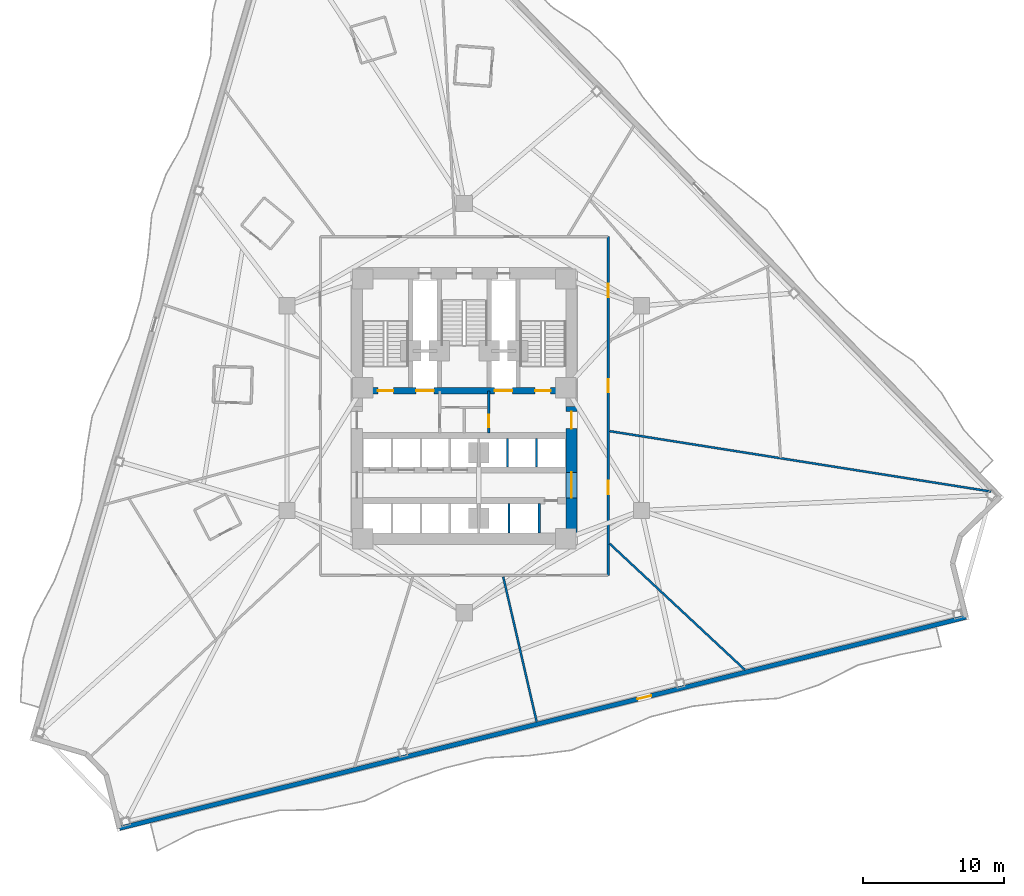
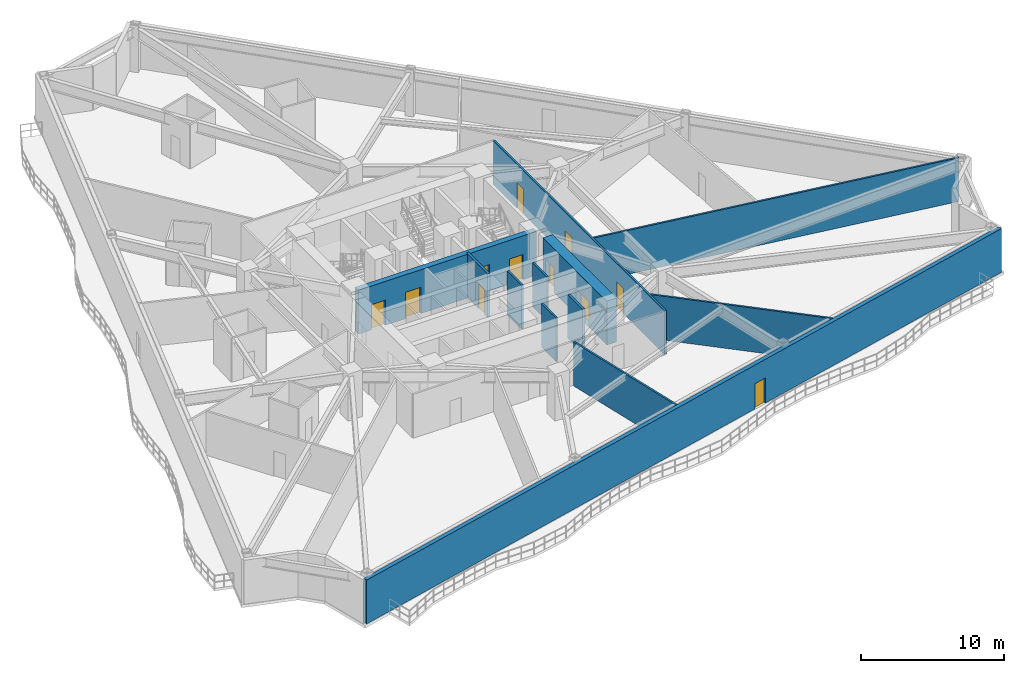
# One storey, part 4 of 10: 12 walls, 11 doors, 11 openings.
"""IFC4 building model written with IfcOpenShell, lengths in metres."""

from ifc_helpers import new_model, si_unit, direction, frame, frame_2d, origin, place, context, subcontext, project, spatial, rectangle, extrude, material, layer, layer_set, type_object, element, fill, save


model = new_model("IFC4")

# Units and contexts
model_context = context("Model", 3, precision=1e-05, world=origin(), true_north=direction((0.0, 1.0)))
body_context = subcontext(model_context, "Body", "Model", "MODEL_VIEW")
ifc_project = project(units=[si_unit("LENGTHUNIT", "METRE"), si_unit("AREAUNIT", "SQUARE_METRE"), si_unit("VOLUMEUNIT", "CUBIC_METRE"), si_unit("PLANEANGLEUNIT", "RADIAN"), si_unit("MASSUNIT", "GRAM", prefix="KILO")], contexts=[model_context])

# Site, building, storey
site_placement = place(None, origin())
site = spatial("IfcSite", under=ifc_project, at=site_placement, CompositionType="ELEMENT")
building_placement = place(site_placement, origin())
building = spatial("IfcBuilding", under=site, at=building_placement, Name="Apsidion Concourse Tower", CompositionType="ELEMENT")
storey_placement = place(building_placement, frame((0.0, 0.0, 107.0)))
storey = spatial("IfcBuildingStorey", under=building, at=storey_placement, Name="L24", CompositionType="ELEMENT", Elevation=107.0)

# Wall, opening, door
ifc_material_1 = material(Name="Precast concrete C40/50", Category="concrete")
ifc_layer_1 = layer(ifc_material_1, 0.320068359375)
ifc_layer_set_1 = layer_set([ifc_layer_1], Name="Precast concrete C40/50")
wall_type_1 = type_object("IfcWallType", Name="WL-EXT-320", PredefinedType="STANDARD", material=ifc_layer_set_1)
wall_1_placement = place(storey_placement, frame((35.546142578125, -14.818359375, 0.0), z_axis=(0.0, 0.0, 1.0), x_axis=(-0.970295883146, -0.241921266428, 0.0)))
wall_1 = element("IfcWall", 1, at=wall_1_placement, inside=storey, type_object=wall_type_1, Name="L24 Precast Stone Facade Wall 05", PredefinedType="STANDARD", context=body_context, shape_type="SweptSolid", body=[
    extrude(rectangle(XDim=61.810791015625, YDim=0.320068359375, at=frame_2d((30.9052734375, 0.0))), origin(), (0.0, 0.0, 1.0), 3.75),
])
opening_1_placement = place(wall_1_placement, frame((22.988037109375, 0.0, 0.0)))
opening_1 = element("IfcOpeningElement", 2, at=opening_1_placement, cuts=wall_1, Name="Opening D-T1R", PredefinedType="OPENING", context=body_context, shape_type="SweptSolid", body=[
    extrude(rectangle(XDim=1.0, YDim=2.14990234375, at=frame_2d((0.5, 1.074951171875))), frame((0.0, 0.169921875, 0.0), z_axis=(0.0, -1.0, 0.0), x_axis=(1.0, 0.0, 0.0)), (0.0, 0.0, 1.0), 0.340087890625),
])
ifc_material_2 = material(Name="Anodised aluminium EN AW-6063 T6", Category="aluminium")
door_type_1 = type_object("IfcDoorType", Name="DR-TER-1022R", OperationType="SINGLE_SWING_RIGHT", PredefinedType="DOOR", material=ifc_material_2)
door_1_placement = place(opening_1_placement, origin())
door_1 = element("IfcDoor", 3, at=door_1_placement, inside=storey, type_object=door_type_1, Name="L24 Balcony Access Door 2", OperationType="SINGLE_SWING_RIGHT", OverallHeight=2.14990234375, OverallWidth=1.0, PredefinedType="DOOR", context=body_context, shape_type="SweptSolid", body=[
    extrude(rectangle(XDim=1.0, YDim=2.14990234375, at=frame_2d((0.5, 1.074951171875))), frame((0.0, 0.02490234375, 0.0), z_axis=(0.0, -1.0, 0.0), x_axis=(1.0, 0.0, 0.0)), (0.0, 0.0, 1.0), 0.050048828125),
])
fill(opening_1, door_1)

# Walls
ifc_material_3 = material(Name="Gypsum plasterboard partition")
ifc_layer_2 = layer(ifc_material_3, 0.14990234375)
ifc_layer_set_2 = layer_set([ifc_layer_2], Name="Gypsum plasterboard partition")
wall_type_2 = type_object("IfcWallType", Name="WL-INT-PAR-150", PredefinedType="PARTITIONING", material=ifc_layer_set_2)
for number, where, z_axis, x_axis, name in (
    (4, (3.074951171875, -4.179931640625, 0.0), (0.0, 0.0, 1.0), (0.0, 1.0, 0.0), "L24 Interior Partition WL-L24-B3DIV-1"),
    (5, (5.125, -4.179931640625, 0.0), (0.0, 0.0, 1.0), (0.0, 1.0, 0.0), "L24 Interior Partition WL-L24-B3DIV-2"),
):
    element("IfcWall", number, at=place(storey_placement, frame(where, z_axis=z_axis, x_axis=x_axis)), inside=storey, type_object=wall_type_2, Name=name, PredefinedType="PARTITIONING", context=body_context, shape_type="SweptSolid", body=[
        extrude(rectangle(XDim=2.030029296875, YDim=0.14990234375, at=frame_2d((1.01513671875, 0.0))), origin(), (0.0, 0.0, 1.0), 3.75),
    ])
wall_2_placement = place(storey_placement, frame((3.175048828125, -8.85009765625, 0.0), z_axis=(0.0, 0.0, 1.0), x_axis=(0.0, 1.0, 0.0)))
element("IfcWall", 6, at=wall_2_placement, inside=storey, type_object=wall_type_2, Name="L24 Interior Partition WL-L24-SHDIV-1", PredefinedType="PARTITIONING", context=body_context, shape_type="SweptSolid", body=[
    extrude(rectangle(XDim=2.080078125, YDim=0.14990234375, at=frame_2d((1.0400390625, 0.0))), origin(), (0.0, 0.0, 1.0), 3.75),
])

# Wall, openings, doors
wall_3_placement = place(storey_placement, frame((10.199951171875, 12.14990234375, 0.0), z_axis=(0.0, 0.0, 1.0), x_axis=(0.0, -1.0, 0.0)))
wall_3 = element("IfcWall", 7, at=wall_3_placement, inside=storey, type_object=wall_type_2, Name="L24 Interior Partition WL-L24-CORR-02", PredefinedType="PARTITIONING", context=body_context, shape_type="SweptSolid", body=[
    extrude(rectangle(XDim=24.0, YDim=0.14990234375, at=frame_2d((12.0, 0.0))), origin(), (0.0, 0.0, 1.0), 3.75),
])
opening_2_placement = place(wall_3_placement, frame((17.29931640625, 0.0, 0.0)))
opening_2 = element("IfcOpeningElement", 8, at=opening_2_placement, cuts=wall_3, Name="Opening D-01L", PredefinedType="OPENING", context=body_context, shape_type="SweptSolid", body=[
    extrude(rectangle(XDim=0.949951171875, YDim=2.14990234375, at=frame_2d((0.47509765625, 1.074951171875))), frame((0.0, 0.0849609375, 0.0), z_axis=(0.0, -1.0, 0.0), x_axis=(1.0, 0.0, 0.0)), (0.0, 0.0, 1.0), 0.169921875),
])
opening_3_placement = place(wall_3_placement, frame((10.09228515625, 0.0, 0.0)))
opening_3 = element("IfcOpeningElement", 9, at=opening_3_placement, cuts=wall_3, Name="Opening D-01R", PredefinedType="OPENING", context=body_context, shape_type="SweptSolid", body=[
    extrude(rectangle(XDim=0.949951171875, YDim=2.14990234375, at=frame_2d((0.47509765625, 1.074951171875))), frame((0.0, 0.0849609375, 0.0), z_axis=(0.0, -1.0, 0.0), x_axis=(1.0, 0.0, 0.0)), (0.0, 0.0, 1.0), 0.169921875),
])
opening_4_placement = place(wall_3_placement, frame((3.32666015625, 0.0, 0.0)))
opening_4 = element("IfcOpeningElement", 10, at=opening_4_placement, cuts=wall_3, Name="Opening D-01L", PredefinedType="OPENING", context=body_context, shape_type="SweptSolid", body=[
    extrude(rectangle(XDim=0.949951171875, YDim=2.14990234375, at=frame_2d((0.47509765625, 1.074951171875))), frame((0.0, 0.0849609375, 0.0), z_axis=(0.0, -1.0, 0.0), x_axis=(1.0, 0.0, 0.0)), (0.0, 0.0, 1.0), 0.169921875),
])
ifc_material_4 = material(Name="Brushed stainless steel 316", Category="steel")
door_type_2 = type_object("IfcDoorType", Name="DR-INT-D01L", OperationType="SINGLE_SWING_LEFT", PredefinedType="DOOR", material=ifc_material_4)
door_2_placement = place(opening_2_placement, origin())
door_2 = element("IfcDoor", 11, at=door_2_placement, inside=storey, type_object=door_type_2, Name="L24 Corridor Entry Door 05", OperationType="SINGLE_SWING_LEFT", OverallHeight=2.14990234375, OverallWidth=0.949951171875, PredefinedType="DOOR", context=body_context, shape_type="SweptSolid", body=[
    extrude(rectangle(XDim=0.949951171875, YDim=2.14990234375, at=frame_2d((0.47509765625, 1.074951171875))), frame((0.0, 0.02490234375, 0.0), z_axis=(0.0, -1.0, 0.0), x_axis=(1.0, 0.0, 0.0)), (0.0, 0.0, 1.0), 0.050048828125),
])
fill(opening_2, door_2)
door_3_placement = place(opening_4_placement, origin())
door_3 = element("IfcDoor", 12, at=door_3_placement, inside=storey, type_object=door_type_2, Name="L24 Corridor Entry Door 07", OperationType="SINGLE_SWING_LEFT", OverallHeight=2.14990234375, OverallWidth=0.949951171875, PredefinedType="DOOR", context=body_context, shape_type="SweptSolid", body=[
    extrude(rectangle(XDim=0.949951171875, YDim=2.14990234375, at=frame_2d((0.47509765625, 1.074951171875))), frame((0.0, 0.02490234375, 0.0), z_axis=(0.0, -1.0, 0.0), x_axis=(1.0, 0.0, 0.0)), (0.0, 0.0, 1.0), 0.050048828125),
])
fill(opening_4, door_3)
door_type_3 = type_object("IfcDoorType", Name="DR-INT-D01R", OperationType="SINGLE_SWING_RIGHT", PredefinedType="DOOR", material=ifc_material_4)
door_4_placement = place(opening_3_placement, origin())
door_4 = element("IfcDoor", 13, at=door_4_placement, inside=storey, type_object=door_type_3, Name="L24 Corridor Entry Door 06", OperationType="SINGLE_SWING_RIGHT", OverallHeight=2.14990234375, OverallWidth=0.949951171875, PredefinedType="DOOR", context=body_context, shape_type="SweptSolid", body=[
    extrude(rectangle(XDim=0.949951171875, YDim=2.14990234375, at=frame_2d((0.47509765625, 1.074951171875))), frame((0.0, 0.02490234375, 0.0), z_axis=(0.0, -1.0, 0.0), x_axis=(1.0, 0.0, 0.0)), (0.0, 0.0, 1.0), 0.050048828125),
])
fill(opening_3, door_4)

# Walls
wall_4_placement = place(storey_placement, frame((2.760009765625, -11.955078125, 0.0), z_axis=(0.0, 0.0, 1.0), x_axis=(0.224945811952, -0.974371275072, 0.0)))
element("IfcWall", 14, at=wall_4_placement, inside=storey, type_object=wall_type_2, Name="L24 Interior Partition WL-L24-RAD-09-1", PredefinedType="PARTITIONING", context=body_context, shape_type="SweptSolid", body=[
    extrude(rectangle(XDim=10.536376953125, YDim=0.14990234375, at=frame_2d((5.26806640625, 0.0))), origin(), (0.0, 0.0, 1.0), 3.75),
])
wall_5_placement = place(storey_placement, frame((10.304931640625, -9.609619140625, 0.0), z_axis=(0.0, 0.0, 1.0), x_axis=(0.731362621349, -0.681988794698, 0.0)))
element("IfcWall", 15, at=wall_5_placement, inside=storey, type_object=wall_type_2, Name="L24 Interior Partition WL-L24-RAD-10-1", PredefinedType="PARTITIONING", context=body_context, shape_type="SweptSolid", body=[
    extrude(rectangle(XDim=13.0986328125, YDim=0.14990234375, at=frame_2d((6.54931640625, 0.0))), origin(), (0.0, 0.0, 1.0), 3.75),
])
wall_6_placement = place(storey_placement, frame((10.304931640625, -1.632080078125, 0.0), z_axis=(0.0, 0.0, 1.0), x_axis=(0.987688570565, -0.156433013064, 0.0)))
element("IfcWall", 16, at=wall_6_placement, inside=storey, type_object=wall_type_2, Name="L24 Interior Partition WL-L24-RAD-11-1", PredefinedType="PARTITIONING", context=body_context, shape_type="SweptSolid", body=[
    extrude(rectangle(XDim=27.367919921875, YDim=0.14990234375, at=frame_2d((13.68408203125, 0.0))), origin(), (0.0, 0.0, 1.0), 3.75),
])
ifc_layer_3 = layer(ifc_material_3, 0.179931640625)
ifc_layer_set_3 = layer_set([ifc_layer_3], Name="Gypsum plasterboard partition")
wall_type_3 = type_object("IfcWallType", Name="WL-INT-PAR-180", PredefinedType="PARTITIONING", material=ifc_layer_set_3)
wall_7_placement = place(storey_placement, frame((5.324951171875, -8.85009765625, 0.0), z_axis=(0.0, 0.0, 1.0), x_axis=(0.0, 1.0, 0.0)))
element("IfcWall", 17, at=wall_7_placement, inside=storey, type_object=wall_type_3, Name="L24 Interior Partition WL-L24-SHDIV-2", PredefinedType="PARTITIONING", context=body_context, shape_type="SweptSolid", body=[
    extrude(rectangle(XDim=2.080078125, YDim=0.179931640625, at=frame_2d((1.0400390625, 0.0))), origin(), (0.0, 0.0, 1.0), 3.75),
])

# Wall, opening, door
ifc_layer_4 = layer(ifc_material_3, 0.199951171875)
ifc_layer_set_4 = layer_set([ifc_layer_4], Name="Gypsum plasterboard partition")
wall_type_4 = type_object("IfcWallType", Name="WL-INT-PAR-200", PredefinedType="PARTITIONING", material=ifc_layer_set_4)
wall_8_placement = place(storey_placement, frame((1.739990234375, -1.780029296875, 0.0), z_axis=(0.0, 0.0, 1.0), x_axis=(0.0, 1.0, 0.0)))
wall_8 = element("IfcWall", 18, at=wall_8_placement, inside=storey, type_object=wall_type_4, Name="L24 Interior Partition WL-L24-FF2-W", PredefinedType="PARTITIONING", context=body_context, shape_type="SweptSolid", body=[
    extrude(rectangle(XDim=2.97998046875, YDim=0.199951171875, at=frame_2d((1.489990234375, 0.0))), origin(), (0.0, 0.0, 1.0), 3.75),
])
opening_5_placement = place(wall_8_placement, frame((0.419921875, 0.0, 0.0)))
opening_5 = element("IfcOpeningElement", 19, at=opening_5_placement, cuts=wall_8, Name="Opening D-05L", PredefinedType="OPENING", context=body_context, shape_type="SweptSolid", body=[
    extrude(rectangle(XDim=0.8798828125, YDim=2.14990234375, at=frame_2d((0.43994140625, 1.074951171875))), frame((0.0, 0.10986328125, 0.0), z_axis=(0.0, -1.0, 0.0), x_axis=(1.0, 0.0, 0.0)), (0.0, 0.0, 1.0), 0.219970703125),
])
door_type_4 = type_object("IfcDoorType", Name="DR-INT-D05L", OperationType="SINGLE_SWING_LEFT", PredefinedType="DOOR", material=ifc_material_4)
door_5_placement = place(opening_5_placement, origin())
door_5 = element("IfcDoor", 20, at=door_5_placement, inside=storey, type_object=door_type_4, Name="L24 Core First Aid Door", OperationType="SINGLE_SWING_LEFT", OverallHeight=2.14990234375, OverallWidth=0.8798828125, PredefinedType="DOOR", context=body_context, shape_type="SweptSolid", body=[
    extrude(rectangle(XDim=0.8798828125, YDim=2.14990234375, at=frame_2d((0.43994140625, 1.074951171875))), frame((0.0, 0.02490234375, 0.0), z_axis=(0.0, -1.0, 0.0), x_axis=(1.0, 0.0, 0.0)), (0.0, 0.0, 1.0), 0.050048828125),
])
fill(opening_5, door_5)

# Wall, openings, doors
ifc_material_5 = material(Name="Concrete C60/75", Category="concrete")
ifc_layer_5 = layer(ifc_material_5, 0.449951171875)
ifc_layer_set_5 = layer_set([ifc_layer_5], Name="Concrete C60/75")
wall_type_5 = type_object("IfcWallType", Name="WL-SH-450", PredefinedType="SHEAR", material=ifc_layer_set_5)
wall_9_placement = place(storey_placement, frame((-7.199951171875, 1.22509765625, 0.0), z_axis=(0.0, 0.0, 1.0), x_axis=(1.0, 0.0, 0.0)))
wall_9 = element("IfcWall", 21, at=wall_9_placement, inside=storey, type_object=wall_type_5, Name="L24 Central Core Shear Wall M1", PredefinedType="SHEAR", context=body_context, shape_type="SweptSolid", body=[
    extrude(rectangle(XDim=14.39990234375, YDim=0.449951171875, at=frame_2d((7.199951171875, 0.0))), origin(), (0.0, 0.0, 1.0), 3.75),
])
opening_6_placement = place(wall_9_placement, frame((3.794921875, 0.0, 0.0)))
opening_6 = element("IfcOpeningElement", 22, at=opening_6_placement, cuts=wall_9, Name="Opening LD-FF", PredefinedType="OPENING", context=body_context, shape_type="SweptSolid", body=[
    extrude(rectangle(XDim=1.25, YDim=2.25, at=frame_2d((0.625, 1.125))), frame((0.0, 0.23486328125, 0.0), z_axis=(0.0, -1.0, 0.0), x_axis=(1.0, 0.0, 0.0)), (0.0, 0.0, 1.0), 0.469970703125),
])
opening_7_placement = place(wall_9_placement, frame((9.35498046875, 0.0, 0.0)))
opening_7 = element("IfcOpeningElement", 23, at=opening_7_placement, cuts=wall_9, Name="Opening LD-FF", PredefinedType="OPENING", context=body_context, shape_type="SweptSolid", body=[
    extrude(rectangle(XDim=1.25, YDim=2.25, at=frame_2d((0.625, 1.125))), frame((0.0, 0.23486328125, 0.0), z_axis=(0.0, -1.0, 0.0), x_axis=(1.0, 0.0, 0.0)), (0.0, 0.0, 1.0), 0.469970703125),
])
opening_8_placement = place(wall_9_placement, frame((1.074951171875, 0.0, 0.0)))
opening_8 = element("IfcOpeningElement", 24, at=opening_8_placement, cuts=wall_9, Name="Opening D-STL", PredefinedType="OPENING", context=body_context, shape_type="SweptSolid", body=[
    extrude(rectangle(XDim=1.10009765625, YDim=2.14990234375, at=frame_2d((0.550048828125, 1.074951171875))), frame((0.0, 0.23486328125, 0.0), z_axis=(0.0, -1.0, 0.0), x_axis=(1.0, 0.0, 0.0)), (0.0, 0.0, 1.0), 0.469970703125),
])
opening_9_placement = place(wall_9_placement, frame((12.22509765625, 0.0, 0.0)))
opening_9 = element("IfcOpeningElement", 25, at=opening_9_placement, cuts=wall_9, Name="Opening D-STR", PredefinedType="OPENING", context=body_context, shape_type="SweptSolid", body=[
    extrude(rectangle(XDim=1.10009765625, YDim=2.14990234375, at=frame_2d((0.550048828125, 1.074951171875))), frame((0.0, 0.23486328125, 0.0), z_axis=(0.0, -1.0, 0.0), x_axis=(1.0, 0.0, 0.0)), (0.0, 0.0, 1.0), 0.469970703125),
])
door_type_5 = type_object("IfcDoorType", Name="DR-INT-ST1L", OperationType="SINGLE_SWING_LEFT", PredefinedType="DOOR", material=ifc_material_4)
door_6_placement = place(opening_8_placement, origin())
door_6 = element("IfcDoor", 26, at=door_6_placement, inside=storey, type_object=door_type_5, Name="L24 Core Exit Stair ST1 Door", OperationType="SINGLE_SWING_LEFT", OverallHeight=2.14990234375, OverallWidth=1.10009765625, PredefinedType="DOOR", context=body_context, shape_type="SweptSolid", body=[
    extrude(rectangle(XDim=1.10009765625, YDim=2.14990234375, at=frame_2d((0.550048828125, 1.074951171875))), frame((0.0, 0.02490234375, 0.0), z_axis=(0.0, -1.0, 0.0), x_axis=(1.0, 0.0, 0.0)), (0.0, 0.0, 1.0), 0.050048828125),
])
fill(opening_8, door_6)
door_type_6 = type_object("IfcDoorType", Name="DR-INT-ST1R", OperationType="SINGLE_SWING_RIGHT", PredefinedType="DOOR", material=ifc_material_4)
door_7_placement = place(opening_9_placement, origin())
door_7 = element("IfcDoor", 27, at=door_7_placement, inside=storey, type_object=door_type_6, Name="L24 Core Exit Stair ST2 Door", OperationType="SINGLE_SWING_RIGHT", OverallHeight=2.14990234375, OverallWidth=1.10009765625, PredefinedType="DOOR", context=body_context, shape_type="SweptSolid", body=[
    extrude(rectangle(XDim=1.10009765625, YDim=2.14990234375, at=frame_2d((0.550048828125, 1.074951171875))), frame((0.0, 0.02490234375, 0.0), z_axis=(0.0, -1.0, 0.0), x_axis=(1.0, 0.0, 0.0)), (0.0, 0.0, 1.0), 0.050048828125),
])
fill(opening_9, door_7)
door_type_7 = type_object("IfcDoorType", Name="DR-LD-FSAE", OperationType="DOUBLE_DOOR_SLIDING", PredefinedType="DOOR", material=ifc_material_4)
door_8_placement = place(opening_6_placement, origin())
door_8 = element("IfcDoor", 28, at=door_8_placement, inside=storey, type_object=door_type_7, Name="L24 Lift Landing Door FF1", OperationType="DOUBLE_DOOR_SLIDING", OverallHeight=2.25, OverallWidth=1.25, PredefinedType="DOOR", context=body_context, shape_type="SweptSolid", body=[
    extrude(rectangle(XDim=1.25, YDim=2.25, at=frame_2d((0.625, 1.125))), frame((0.0, 0.02490234375, 0.0), z_axis=(0.0, -1.0, 0.0), x_axis=(1.0, 0.0, 0.0)), (0.0, 0.0, 1.0), 0.050048828125),
])
fill(opening_6, door_8)
door_9_placement = place(opening_7_placement, origin())
door_9 = element("IfcDoor", 29, at=door_9_placement, inside=storey, type_object=door_type_7, Name="L24 Lift Landing Door FF2", OperationType="DOUBLE_DOOR_SLIDING", OverallHeight=2.25, OverallWidth=1.25, PredefinedType="DOOR", context=body_context, shape_type="SweptSolid", body=[
    extrude(rectangle(XDim=1.25, YDim=2.25, at=frame_2d((0.625, 1.125))), frame((0.0, 0.02490234375, 0.0), z_axis=(0.0, -1.0, 0.0), x_axis=(1.0, 0.0, 0.0)), (0.0, 0.0, 1.0), 0.050048828125),
])
fill(opening_7, door_9)

ifc_layer_6 = layer(ifc_material_5, 0.800048828125)
ifc_layer_set_6 = layer_set([ifc_layer_6], Name="Concrete C60/75")
wall_type_6 = type_object("IfcWallType", Name="WL-SH-800", PredefinedType="SHEAR", material=ifc_layer_set_6)
wall_10_placement = place(storey_placement, frame((7.60009765625, -8.85009765625, 0.0), z_axis=(0.0, 0.0, 1.0), x_axis=(0.0, 1.0, 0.0)))
wall_10 = element("IfcWall", 30, at=wall_10_placement, inside=storey, type_object=wall_type_6, Name="L24 Central Core Shear Wall ES", PredefinedType="SHEAR", context=body_context, shape_type="SweptSolid", body=[
    extrude(rectangle(XDim=8.9501953125, YDim=0.800048828125, at=frame_2d((4.47509765625, 0.0))), origin(), (0.0, 0.0, 1.0), 3.75),
])
opening_10_placement = place(wall_10_placement, frame((2.489990234375, 0.0, 0.0)))
opening_10 = element("IfcOpeningElement", 31, at=opening_10_placement, cuts=wall_10, Name="Opening D-06D", PredefinedType="OPENING", context=body_context, shape_type="SweptSolid", body=[
    extrude(rectangle(XDim=1.800048828125, YDim=2.199951171875, at=frame_2d((0.89990234375, 1.10009765625))), frame((0.0, 0.41015625, 0.0), z_axis=(0.0, -1.0, 0.0), x_axis=(1.0, 0.0, 0.0)), (0.0, 0.0, 1.0), 0.820068359375),
])
opening_11_placement = place(wall_10_placement, frame((7.39990234375, 0.0, 0.0)))
opening_11 = element("IfcOpeningElement", 32, at=opening_11_placement, cuts=wall_10, Name="Opening D-FFR", PredefinedType="OPENING", context=body_context, shape_type="SweptSolid", body=[
    extrude(rectangle(XDim=1.199951171875, YDim=2.14990234375, at=frame_2d((0.60009765625, 1.074951171875))), frame((0.0, 0.41015625, 0.0), z_axis=(0.0, -1.0, 0.0), x_axis=(1.0, 0.0, 0.0)), (0.0, 0.0, 1.0), 0.820068359375),
])
door_type_8 = type_object("IfcDoorType", Name="DR-INT-D06D", OperationType="DOUBLE_DOOR_SINGLE_SWING", PredefinedType="DOOR", material=ifc_material_4)
door_10_placement = place(opening_10_placement, origin())
door_10 = element("IfcDoor", 33, at=door_10_placement, inside=storey, type_object=door_type_8, Name="L24 Passenger Lift Lobby ES Portal Door", OperationType="DOUBLE_DOOR_SINGLE_SWING", OverallHeight=2.199951171875, OverallWidth=1.800048828125, PredefinedType="DOOR", context=body_context, shape_type="SweptSolid", body=[
    extrude(rectangle(XDim=1.800048828125, YDim=2.199951171875, at=frame_2d((0.89990234375, 1.10009765625))), frame((0.0, 0.02490234375, 0.0), z_axis=(0.0, -1.0, 0.0), x_axis=(1.0, 0.0, 0.0)), (0.0, 0.0, 1.0), 0.050048828125),
])
fill(opening_10, door_10)
door_type_9 = type_object("IfcDoorType", Name="DR-INT-FFR", OperationType="SINGLE_SWING_RIGHT", PredefinedType="DOOR", material=ifc_material_4)
door_11_placement = place(opening_11_placement, origin())
door_11 = element("IfcDoor", 34, at=door_11_placement, inside=storey, type_object=door_type_9, Name="L24 Firefighting Lift Lobby FF2 Door", OperationType="SINGLE_SWING_RIGHT", OverallHeight=2.14990234375, OverallWidth=1.199951171875, PredefinedType="DOOR", context=body_context, shape_type="SweptSolid", body=[
    extrude(rectangle(XDim=1.199951171875, YDim=2.14990234375, at=frame_2d((0.60009765625, 1.074951171875))), frame((0.0, 0.02490234375, 0.0), z_axis=(0.0, -1.0, 0.0), x_axis=(1.0, 0.0, 0.0)), (0.0, 0.0, 1.0), 0.050048828125),
])
fill(opening_11, door_11)

save(model, "model.ifc")
